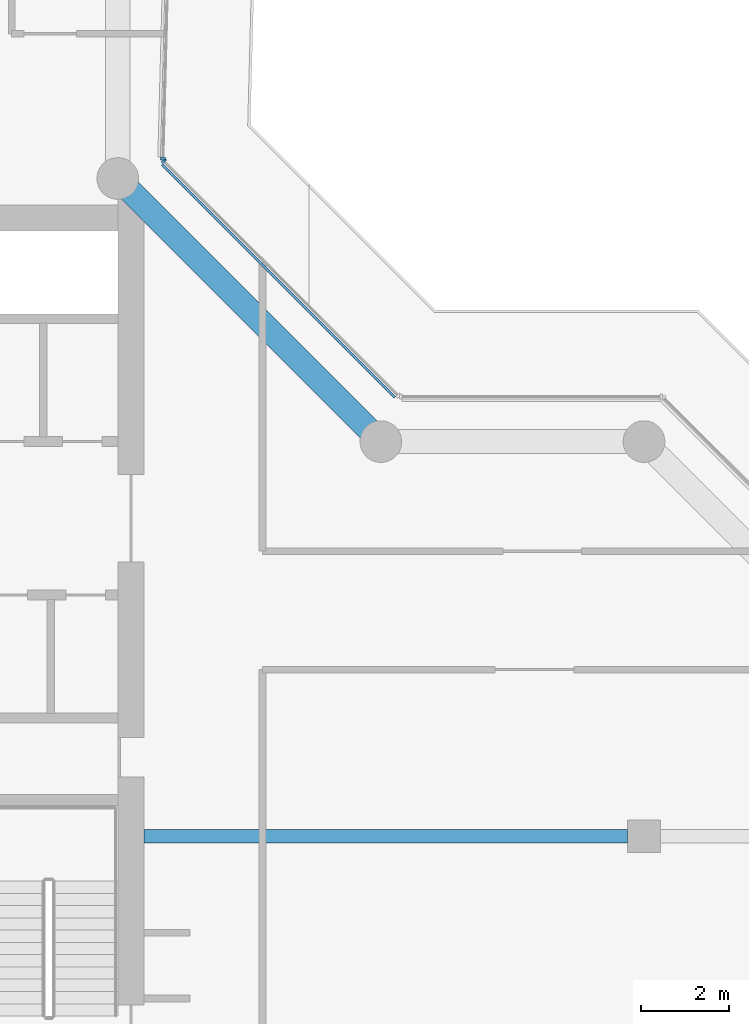
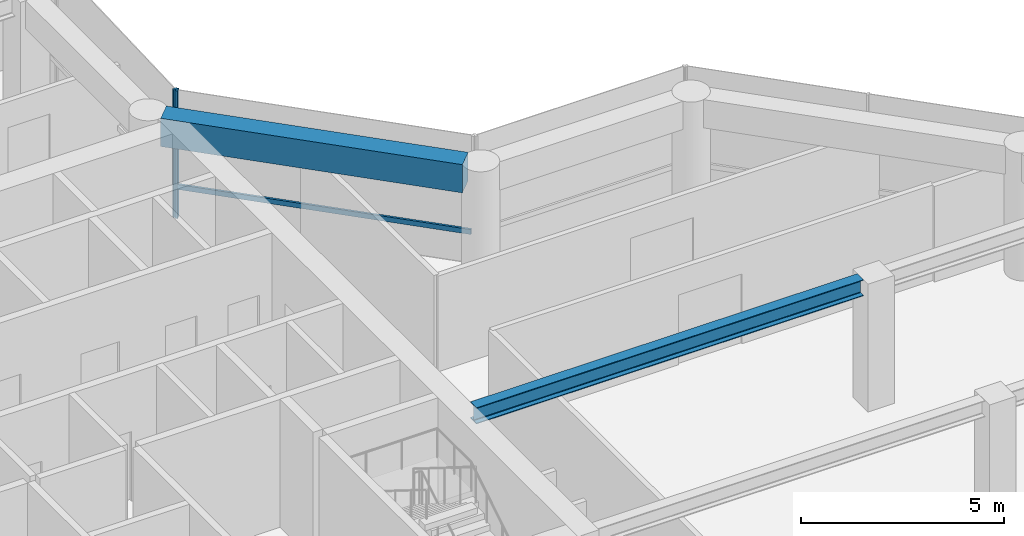
# One storey, part 5 of 19: 3 members, 2 beams, 2 elements without a shape of their own.
"""IFC4 building model written with IfcOpenShell, lengths in metres."""

import ifcopenshell
import ifcopenshell.guid

model = None  # the IFC model being written
_history = None  # IfcOwnerHistory: only IFC2X3 demands one
_inside = {}  # id of a spatial element -> (the spatial element, [elements in it])
_under = {}  # id of a project, library or spatial element -> (it, [spatial elements below it])
_declared = {}  # id of a project -> (the project, [libraries it declares])
_typed = {}  # id of a type object -> (the type object, [elements of that type])
_made_of = {}  # id of a material, layer set ... -> (it, [elements and type objects made of it])


def new_model(schema):
    """Start an empty IFC model of exactly this schema.

    Asked for "IFC4X3", IfcOpenShell would pick the latest addendum, in which some entities
    have other attributes; the version numbers below select the first issue.
    IFC2X3 requires an IfcOwnerHistory on every rooted entity: one is made here for all.
    """
    global model, _history
    if schema == "IFC4X3":
        model = ifcopenshell.file(schema_version=(4, 3, 0, 0))
    else:
        model = ifcopenshell.file(schema=schema)
    _inside.clear()
    _under.clear()
    _declared.clear()
    _typed.clear()
    _made_of.clear()
    _history = None
    if model.schema == "IFC2X3":
        org = make("IfcOrganization", Name="unknown")
        user = make(
            "IfcPersonAndOrganization",
            ThePerson=make("IfcPerson", FamilyName="unknown"),
            TheOrganization=org,
        )
        app = make(
            "IfcApplication",
            ApplicationDeveloper=org,
            Version="unknown",
            ApplicationFullName="unknown",
            ApplicationIdentifier="unknown",
        )
        _history = make(
            "IfcOwnerHistory",
            OwningUser=user,
            OwningApplication=app,
            ChangeAction="ADDED",
            CreationDate=0,
        )
    return model


def make(cls, **values):
    """One entity of the class cls with the attributes given. An attribute that is None is left unset."""
    return model.create_entity(
        cls, **{name: value for name, value in values.items() if value is not None}
    )


def rooted(cls, **values):
    """An entity with a GlobalId (a new one), such as an element, a storey or a relation."""
    return make(cls, GlobalId=ifcopenshell.guid.new(), OwnerHistory=_history, **values)


def si_unit(unit_type, name, prefix=None):
    """IfcSIUnit, for example si_unit("LENGTHUNIT", "METRE", prefix="MILLI")."""
    return make("IfcSIUnit", UnitType=unit_type, Prefix=prefix, Name=name)


def assignment(units):
    """IfcUnitAssignment: the units of a project."""
    return None if units is None else make("IfcUnitAssignment", Units=units)


def point(xyz):
    """IfcCartesianPoint."""
    return None if xyz is None else make("IfcCartesianPoint", Coordinates=xyz)


def direction(xyz):
    """IfcDirection."""
    return None if xyz is None else make("IfcDirection", DirectionRatios=xyz)


def frame(location, z_axis=None, x_axis=None):
    """IfcAxis2Placement3D, a coordinate frame: its origin and axes. An axis left out is left unset."""
    return make(
        "IfcAxis2Placement3D",
        Location=point(location),
        Axis=direction(z_axis),
        RefDirection=direction(x_axis),
    )


def frame_2d(location, x_axis=None):
    """IfcAxis2Placement2D, a coordinate frame in the plane: its origin and x axis."""
    return make(
        "IfcAxis2Placement2D", Location=point(location), RefDirection=direction(x_axis)
    )


def origin():
    """The frame at (0, 0, 0) with its axes left unset."""
    return frame((0.0, 0.0, 0.0))


def origin_2d():
    """The frame at (0, 0) in the plane with its x axis left unset."""
    return frame_2d((0.0, 0.0))


def place(relative_to, where):
    """IfcLocalPlacement: puts the frame where relative to a parent placement (None: the world)."""
    return make(
        "IfcLocalPlacement", PlacementRelTo=relative_to, RelativePlacement=where
    )


def context(
    kind, dimensions, precision=None, world=None, true_north=None, identifier=None
):
    """IfcGeometricRepresentationContext, for example the 3D "Model" context."""
    return make(
        "IfcGeometricRepresentationContext",
        ContextIdentifier=identifier,
        ContextType=kind,
        CoordinateSpaceDimension=dimensions,
        Precision=precision,
        WorldCoordinateSystem=world,
        TrueNorth=true_north,
    )


def subcontext(parent, identifier, kind, view, scale=None):
    """IfcGeometricRepresentationSubContext, for example "Body" below "Model"."""
    return make(
        "IfcGeometricRepresentationSubContext",
        ContextIdentifier=identifier,
        ContextType=kind,
        ParentContext=parent,
        TargetScale=scale,
        TargetView=view,
    )


def project(units=None, contexts=None):
    """IfcProject with its units and contexts."""
    return rooted(
        "IfcProject",
        Name="project",
        RepresentationContexts=contexts,
        UnitsInContext=assignment(units),
    )


def spatial(cls, under=None, at=None, **own):
    """A site, building, storey or space (cls), placed at a placement, below another one or the project."""
    s = rooted(cls, ObjectPlacement=at, **own)
    if under is not None:
        _under.setdefault(under.id(), (under, []))[1].append(s)
    return s


def profile(cls, at=None, kind="AREA", **sizes):
    """A parametric profile (cls). Its sizes go by their IFC names, for example OverallWidth=200.0."""
    return make(cls, ProfileType=kind, Position=at, **sizes)


def rectangle(**sizes):
    """IfcRectangleProfileDef."""
    return profile("IfcRectangleProfileDef", **sizes)


def i_section(**sizes):
    """IfcIShapeProfileDef."""
    return profile("IfcIShapeProfileDef", **sizes)


def extrude(swept, where, along, depth):
    """IfcExtrudedAreaSolid: the profile swept, set in the frame where, extruded along a direction by depth."""
    return make(
        "IfcExtrudedAreaSolid",
        SweptArea=swept,
        Position=where,
        ExtrudedDirection=direction(along),
        Depth=depth,
    )


def shape(context_of_items, identifier, shape_type, items):
    """IfcShapeRepresentation: the items that make up one representation, for example the "Body"."""
    return make(
        "IfcShapeRepresentation",
        ContextOfItems=context_of_items,
        RepresentationIdentifier=identifier,
        RepresentationType=shape_type,
        Items=items,
    )


def material(Name=None, Category=None):
    """IfcMaterial."""
    return make("IfcMaterial", Name=Name, Category=Category)


def layer(
    of_material, thickness, ventilated=None, Name=None, Category=None, Priority=None
):
    """IfcMaterialLayer: one layer of a wall or slab, of a material (None: an air gap)."""
    return make(
        "IfcMaterialLayer",
        Material=of_material,
        LayerThickness=thickness,
        IsVentilated=ventilated,
        Name=Name,
        Category=Category,
        Priority=Priority,
    )


def layer_set(layers, Name=None):
    """IfcMaterialLayerSet."""
    return make("IfcMaterialLayerSet", MaterialLayers=layers, LayerSetName=Name)


def material_profile(
    of_material, cross_section, Name=None, Category=None, Priority=None
):
    """IfcMaterialProfile: a cross section and its material."""
    return make(
        "IfcMaterialProfile",
        Name=Name,
        Material=of_material,
        Profile=cross_section,
        Priority=Priority,
        Category=Category,
    )


def profile_set(profiles, Name=None, composite=None):
    """IfcMaterialProfileSet."""
    return make(
        "IfcMaterialProfileSet",
        Name=Name,
        MaterialProfiles=profiles,
        CompositeProfile=composite,
    )


def made_of(thing, what):
    """Note that an element or type object is made of a material, layer set ...; save() writes the relation."""
    if what is not None:
        _made_of.setdefault(what.id(), (what, []))[1].append(thing)
    return thing


def type_object(cls, material=None, **own):
    """A type object (cls), such as IfcWallType, which elements share."""
    return made_of(rooted(cls, **own), material)


def element(
    cls,
    number,
    at=None,
    inside=None,
    cuts=None,
    type_object=None,
    material=None,
    context=None,
    identifier="Body",
    shape_type=None,
    held_by="IfcProductDefinitionShape",
    body=None,
    shapes=None,
    **own,
):
    """One element of the class cls, such as IfcWall. Its Tag is "e" and its number.

    at: its placement. inside: the storey or other place that contains it. cuts: it is an
    opening in that element (IfcRelVoidsElement). A single representation is given by context,
    identifier, shape_type and body (its items); several are given by shapes. held_by: the class
    of the entity that holds the representations. save() writes the other relations.
    """
    e = rooted(cls, Tag="e%d" % number, ObjectPlacement=at, **own)
    if body is not None:
        shapes = [shape(context, identifier, shape_type, body)]
    if shapes is not None:
        e.Representation = make(held_by, Representations=shapes)
    if inside is not None:
        _inside.setdefault(inside.id(), (inside, []))[1].append(e)
    if cuts is not None:
        rooted(
            "IfcRelVoidsElement", RelatingBuildingElement=cuts, RelatedOpeningElement=e
        )
    if type_object is not None:
        _typed.setdefault(type_object.id(), (type_object, []))[1].append(e)
    return made_of(e, material)


def aggregate(whole, parts):
    """IfcRelAggregates: a whole, such as a stair, and the parts it consists of."""
    return rooted("IfcRelAggregates", RelatingObject=whole, RelatedObjects=parts)


def save(model, path):
    """Write the relations noted so far, then the file.

    IfcRelAggregates (storeys below a building ...), IfcRelContainedInSpatialStructure (elements
    in a storey), IfcRelDefinesByType, IfcRelAssociatesMaterial and IfcRelDeclares: one each for
    every whole, place, type object, material and project.
    """
    for whole, parts in _under.values():
        aggregate(whole, parts)
    for where, things in _inside.values():
        rooted(
            "IfcRelContainedInSpatialStructure",
            RelatedElements=things,
            RelatingStructure=where,
        )
    for kind, things in _typed.values():
        rooted("IfcRelDefinesByType", RelatedObjects=things, RelatingType=kind)
    for what, things in _made_of.values():
        rooted("IfcRelAssociatesMaterial", RelatedObjects=things, RelatingMaterial=what)
    for by, libraries in _declared.values():
        rooted("IfcRelDeclares", RelatingContext=by, RelatedDefinitions=libraries)
    model.write(path)


model = new_model("IFC4")

# Units and contexts
model_context = context("Model", 3, precision=1e-05, world=origin(), true_north=direction((0.0, 1.0)))
body_context = subcontext(model_context, "Body", "Model", "MODEL_VIEW")
ifc_project = project(units=[si_unit("LENGTHUNIT", "METRE"), si_unit("AREAUNIT", "SQUARE_METRE"), si_unit("VOLUMEUNIT", "CUBIC_METRE"), si_unit("PLANEANGLEUNIT", "RADIAN"), si_unit("MASSUNIT", "GRAM", prefix="KILO")], contexts=[model_context])

# Site, building, storey
site_placement = place(None, origin())
site = spatial("IfcSite", under=ifc_project, at=site_placement, CompositionType="ELEMENT")
building_placement = place(site_placement, origin())
building = spatial("IfcBuilding", under=site, at=building_placement, Name="Welwitschia Terrace Campus", CompositionType="ELEMENT")
storey_placement = place(building_placement, frame((0.0, 0.0, 163.39990234375)))
storey = spatial("IfcBuildingStorey", under=building, at=storey_placement, Name="L36", CompositionType="ELEMENT", Elevation=163.39990234375)

# Beam
ifc_material_1 = material(Name="Steel S355", Category="steel")
ifc_material_profile_1 = material_profile(ifc_material_1, i_section(OverallWidth=0.300048828125, OverallDepth=0.489990234375, WebThickness=0.011962890625, FlangeThickness=0.02294921875, FilletRadius=0.027099609375, at=origin_2d()))
ifc_profile_set_1 = profile_set([ifc_material_profile_1], Name="Steel S355")
beam_type_1 = type_object("IfcBeamType", Name="Interior girder HE 500 A", PredefinedType="BEAM", material=ifc_profile_set_1)
beam_1_placement = place(storey_placement, frame((24.60107421875, 11.0, 3.60498046875), z_axis=(1.0, 0.0, 0.0), x_axis=(0.0, 1.0, 0.0)))
element("IfcBeam", 1, at=beam_1_placement, inside=storey, type_object=beam_type_1, Name="Girder GB4", PredefinedType="BEAM", context=body_context, shape_type="SweptSolid", body=[
    extrude(i_section(OverallWidth=0.300048828125, OverallDepth=0.489990234375, WebThickness=0.011962890625, FlangeThickness=0.02294921875, FilletRadius=0.027099609375, at=origin_2d()), origin(), (0.0, 0.0, 1.0), 11.0234375),
])

# Curtain wall, member
ifc_material_2 = material(Name="Bronze anodised aluminium", Category="aluminium")
ifc_layer = layer(ifc_material_2, 0.1201171875)
ifc_layer_set = layer_set([ifc_layer], Name="Bronze anodised aluminium")
curtain_wall_type = type_object("IfcCurtainWallType", Name="Curtain wall CW2 tower 6000", PredefinedType="NOTDEFINED", material=ifc_layer_set)
curtain_wall_1_placement = place(storey_placement, origin())
curtain_wall_1 = element("IfcCurtainWall", 2, at=curtain_wall_1_placement, inside=storey, type_object=curtain_wall_type, Name="CW L36.9.0", PredefinedType="NOTDEFINED")
ifc_material_3 = material(Name="Bronze anodised aluminium", Category="aluminium")
ifc_material_profile_2 = material_profile(ifc_material_3, rectangle(XDim=0.1201171875, YDim=0.06005859375, at=origin_2d()))
ifc_profile_set_2 = profile_set([ifc_material_profile_2], Name="Bronze anodised aluminium")
member_type_1 = type_object("IfcMemberType", Name="Mullion 60x120", PredefinedType="MULLION", material=ifc_profile_set_2)
member_1_placement = place(storey_placement, frame((25.052978515625, 26.40380859375, 0.0), z_axis=(0.0, 0.0, 1.0), x_axis=(-0.707106781187, -0.707106781187, 0.0)))
member_1 = element("IfcMember", 3, at=member_1_placement, type_object=member_type_1, Name="Mullion L36.9.0.1", PredefinedType="MULLION", context=body_context, shape_type="SweptSolid", body=[
    extrude(rectangle(XDim=0.1201171875, YDim=0.06005859375, at=origin_2d()), origin(), (0.0, 0.0, 1.0), 3.85009765625),
])

curtain_wall_2_placement = place(storey_placement, origin())
curtain_wall_2 = element("IfcCurtainWall", 4, at=curtain_wall_2_placement, inside=storey, type_object=curtain_wall_type, Name="CW L36.10.0", PredefinedType="NOTDEFINED")
member_2_placement = place(storey_placement, frame((25.032470703125, 26.454833984375, 0.0), z_axis=(0.0, 0.0, 1.0), x_axis=(-0.999657324976, 0.026176948308, 0.0)))
member_2 = element("IfcMember", 5, at=member_2_placement, type_object=member_type_1, Name="Mullion L36.10.0.0", PredefinedType="MULLION", context=body_context, shape_type="SweptSolid", body=[
    extrude(rectangle(XDim=0.1201171875, YDim=0.06005859375, at=origin_2d()), origin(), (0.0, 0.0, 1.0), 3.85009765625),
])
aggregate(curtain_wall_2, [member_2])

# Beam
ifc_material_4 = material(Name="Concrete C50/60", Category="concrete")
ifc_material_profile_3 = material_profile(ifc_material_4, rectangle(XDim=0.550048828125, YDim=0.85009765625, at=origin_2d()))
ifc_profile_set_3 = profile_set([ifc_material_profile_3], Name="Concrete C50/60")
beam_type_2 = type_object("IfcBeamType", Name="Ring spandrel 550x850", PredefinedType="SPANDREL", material=ifc_profile_set_3)
beam_2_placement = place(storey_placement, frame((29.7255859375, 20.2744140625, 3.425048828125), z_axis=(-0.707106781187, 0.707106781187, 0.0), x_axis=(-0.707106781187, -0.707106781187, 0.0)))
element("IfcBeam", 6, at=beam_2_placement, inside=storey, type_object=beam_type_2, Name="Spandrel SP3", PredefinedType="SPANDREL", context=body_context, shape_type="SweptSolid", body=[
    extrude(rectangle(XDim=0.550048828125, YDim=0.85009765625, at=origin_2d()), origin(), (0.0, 0.0, 1.0), 7.709228515625),
])

# Member
ifc_material_5 = material(Name="Bronze anodised aluminium", Category="aluminium")
ifc_material_profile_4 = material_profile(ifc_material_5, rectangle(XDim=0.06005859375, YDim=0.14990234375, at=origin_2d()))
ifc_profile_set_4 = profile_set([ifc_material_profile_4], Name="Bronze anodised aluminium")
member_type_2 = type_object("IfcMemberType", Name="Transom 60x150", PredefinedType="USERDEFINED", material=ifc_profile_set_4)
member_3_placement = place(storey_placement, frame((30.320556640625, 21.0087890625, 1.0), z_axis=(-0.707106781187, 0.707106781187, 0.0), x_axis=(-0.707106781187, -0.707106781187, 0.0)))
member_3 = element("IfcMember", 7, at=member_3_placement, type_object=member_type_2, Name="Transom L36.9.0", ObjectType="TRANSOM", PredefinedType="USERDEFINED", context=body_context, shape_type="SweptSolid", body=[
    extrude(rectangle(XDim=0.06005859375, YDim=0.14990234375, at=origin_2d()), origin(), (0.0, 0.0, 1.0), 7.509521484375),
])

aggregate(curtain_wall_1, [member_1, member_3])

save(model, "model.ifc")
